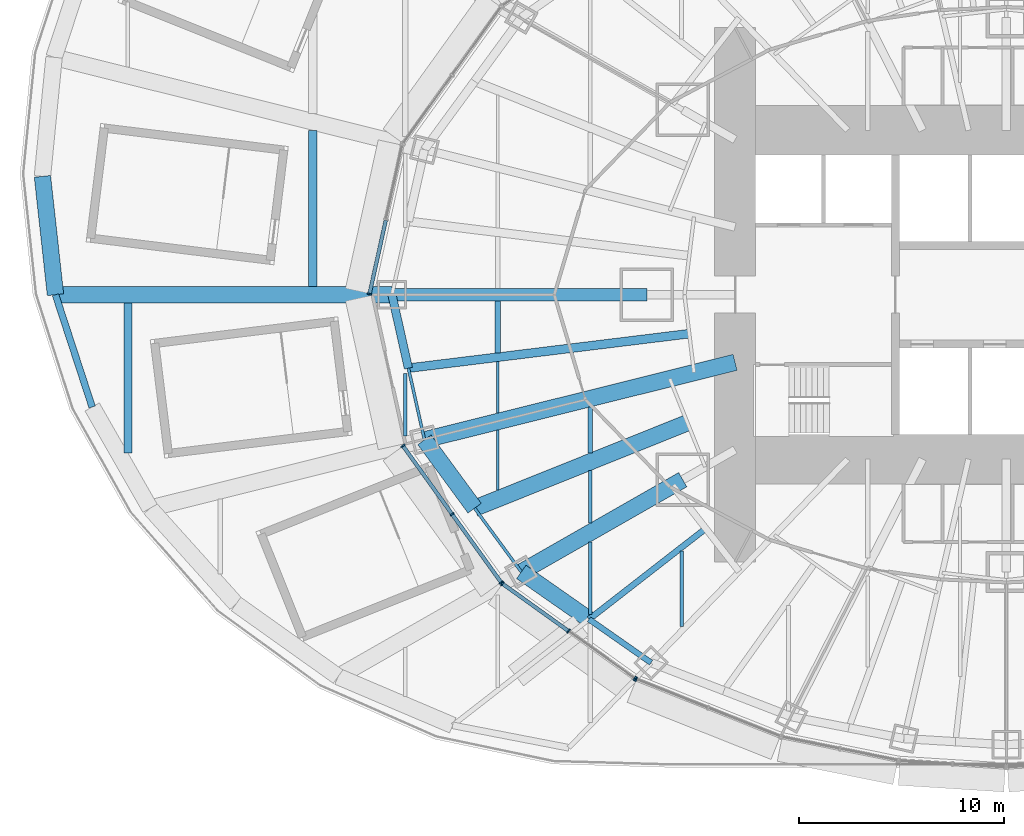
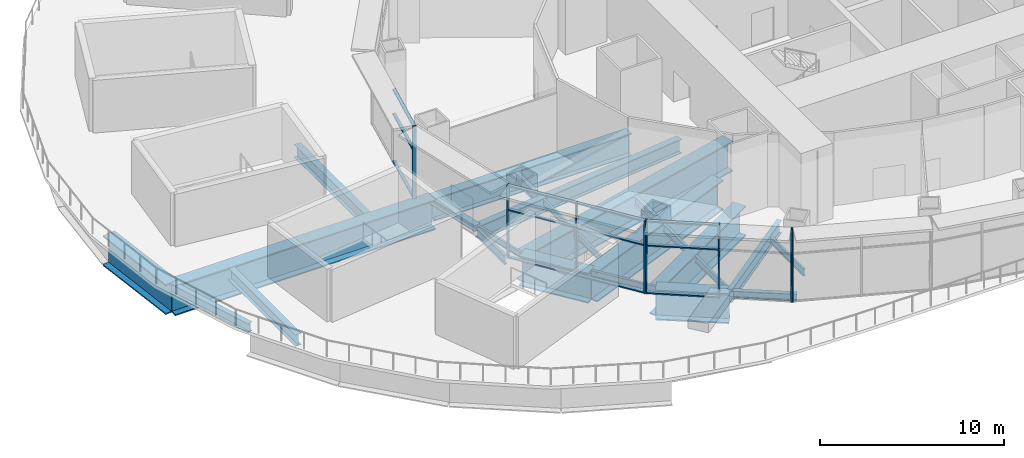
# One storey, part 2 of 25: 25 beams, 20 members, 4 elements without a shape of their own.
"""IFC4 building model written with IfcOpenShell, lengths in metres."""

from ifc_helpers import new_model, si_unit, direction, frame, origin, origin_2d, place, context, subcontext, project, spatial, rectangle, i_section, extrude, material, material_profile, profile_set, type_object, element, aggregate, save


model = new_model("IFC4")

# Units and contexts
model_context = context("Model", 3, precision=1e-05, world=origin(), true_north=direction((0.0, 1.0)))
body_context = subcontext(model_context, "Body", "Model", "MODEL_VIEW")
ifc_project = project(units=[si_unit("LENGTHUNIT", "METRE"), si_unit("AREAUNIT", "SQUARE_METRE"), si_unit("VOLUMEUNIT", "CUBIC_METRE"), si_unit("PLANEANGLEUNIT", "RADIAN"), si_unit("MASSUNIT", "GRAM", prefix="KILO")], contexts=[model_context])

# Site, building, storey
site_placement = place(None, origin())
site = spatial("IfcSite", under=ifc_project, at=site_placement, CompositionType="ELEMENT")
building_placement = place(site_placement, origin())
building = spatial("IfcBuilding", under=site, at=building_placement, Name="Lantaw Convention Tower", CompositionType="ELEMENT")
storey_placement = place(building_placement, frame((0.0, 0.0, 32.0)))
storey = spatial("IfcBuildingStorey", under=building, at=storey_placement, Name="L05", CompositionType="ELEMENT", Elevation=32.0)

# Beams
ifc_material_1 = material(Name="Steel ASTM A572 Grade 50", Category="steel")
ifc_material_profile_1 = material_profile(ifc_material_1, i_section(OverallWidth=0.800048828125, OverallDepth=2.0, WebThickness=0.030029296875, FlangeThickness=0.080078125, at=origin_2d()), Name="PG2000X800X30X80")
ifc_profile_set_1 = profile_set([ifc_material_profile_1], Name="Steel ASTM A572 Grade 50")
beam_type_1 = type_object("IfcBeamType", Name="Beam E PG2000X800X30X80", PredefinedType="SPANDREL", material=ifc_profile_set_1)
beam_1_placement = place(storey_placement, frame((-28.31787109375, -7.060302734375, -1.199951171875), z_axis=(0.591255937291, -0.806483984105, 0.0), x_axis=(0.806483984105, 0.591255937291, 0.0)))
element("IfcBeam", 1, at=beam_1_placement, inside=storey, type_object=beam_type_1, Name="Edge beam 14", PredefinedType="SPANDREL", context=body_context, shape_type="SweptSolid", body=[
    extrude(i_section(OverallWidth=0.800048828125, OverallDepth=2.0, WebThickness=0.030029296875, FlangeThickness=0.080078125, at=origin_2d()), origin(), (0.0, 0.0, 1.0), 4.126708984375),
])
beam_2_placement = place(storey_placement, frame((-23.60498046875, -13.488525390625, -1.199951171875), z_axis=(0.819442856133, -0.573160889744, 0.0), x_axis=(0.573160889744, 0.819442856133, 0.0)))
element("IfcBeam", 2, at=beam_2_placement, inside=storey, type_object=beam_type_1, Name="Edge beam 15", PredefinedType="SPANDREL", context=body_context, shape_type="SweptSolid", body=[
    extrude(i_section(OverallWidth=0.800048828125, OverallDepth=2.0, WebThickness=0.030029296875, FlangeThickness=0.080078125, at=origin_2d()), origin(), (0.0, 0.0, 1.0), 4.022705078125),
])
beam_3_placement = place(storey_placement, frame((-46.907958984375, 5.759521484375, -1.199951171875), z_axis=(0.109673093737, -0.993967712006, 0.0), x_axis=(0.993967712006, 0.109673093737, 0.0)))
element("IfcBeam", 3, at=beam_3_placement, inside=storey, type_object=beam_type_1, Name="Podium edge beam B11", PredefinedType="SPANDREL", context=body_context, shape_type="SweptSolid", body=[
    extrude(i_section(OverallWidth=0.800048828125, OverallDepth=2.0, WebThickness=0.030029296875, FlangeThickness=0.080078125, at=origin_2d()), origin(), (0.0, 0.0, 1.0), 5.79443359375),
])
ifc_material_2 = material(Name="Steel ASTM A992", Category="steel")
ifc_material_profile_2 = material_profile(ifc_material_2, i_section(OverallWidth=0.40380859375, OverallDepth=0.406494140625, WebThickness=0.027099609375, FlangeThickness=0.043701171875, FilletRadius=0.01513671875, at=origin_2d()), Name="W14X233")
ifc_profile_set_2 = profile_set([ifc_material_profile_2], Name="Steel ASTM A992")
beam_type_2 = type_object("IfcBeamType", Name="Beam E W14X233", PredefinedType="SPANDREL", material=ifc_profile_set_2)
beam_4_placement = place(storey_placement, frame((-29.89990234375, 0.0, -0.4033203125), z_axis=(0.218631550323, -0.975807483679, 0.0), x_axis=(0.975807483679, 0.218631550323, 0.0)))
element("IfcBeam", 4, at=beam_4_placement, inside=storey, type_object=beam_type_2, Name="Edge beam 13", PredefinedType="SPANDREL", context=body_context, shape_type="SweptSolid", body=[
    extrude(i_section(OverallWidth=0.40380859375, OverallDepth=0.406494140625, WebThickness=0.027099609375, FlangeThickness=0.043701171875, FilletRadius=0.01513671875, at=origin_2d()), origin(), (0.0, 0.0, 1.0), 3.66162109375),
])
ifc_material_profile_3 = material_profile(ifc_material_2, i_section(OverallWidth=0.140380859375, OverallDepth=0.40380859375, WebThickness=0.007080078125, FlangeThickness=0.01123046875, FilletRadius=0.01025390625, at=origin_2d()), Name="W16X31")
ifc_profile_set_3 = profile_set([ifc_material_profile_3], Name="Steel ASTM A992")
beam_type_3 = type_object("IfcBeamType", Name="Beam E W16X31", PredefinedType="SPANDREL", material=ifc_profile_set_3)
beam_5_placement = place(storey_placement, frame((-29.099365234375, -3.572998046875, -0.40185546875), z_axis=(0.218673326171, -0.97579812278, 0.0), x_axis=(0.97579812278, 0.218673326171, 0.0)))
element("IfcBeam", 5, at=beam_5_placement, inside=storey, type_object=beam_type_3, Name="Edge beam 13", PredefinedType="SPANDREL", context=body_context, shape_type="SweptSolid", body=[
    extrude(i_section(OverallWidth=0.140380859375, OverallDepth=0.40380859375, WebThickness=0.007080078125, FlangeThickness=0.01123046875, FilletRadius=0.01025390625, at=origin_2d()), origin(), (0.0, 0.0, 1.0), 3.57373046875),
])
beam_6_placement = place(storey_placement, frame((-25.8779296875, -10.388427734375, -0.40185546875), z_axis=(0.591286566758, -0.806461527893, 0.0), x_axis=(0.806461527893, 0.591286566758, 0.0)))
element("IfcBeam", 6, at=beam_6_placement, inside=storey, type_object=beam_type_3, Name="Edge beam 14", PredefinedType="SPANDREL", context=body_context, shape_type="SweptSolid", body=[
    extrude(i_section(OverallWidth=0.140380859375, OverallDepth=0.40380859375, WebThickness=0.007080078125, FlangeThickness=0.01123046875, FilletRadius=0.01025390625, at=origin_2d()), origin(), (0.0, 0.0, 1.0), 3.843994140625),
])
ifc_material_profile_4 = material_profile(ifc_material_2, i_section(OverallWidth=0.279296875, OverallDepth=0.462158203125, WebThickness=0.0107421875, FlangeThickness=0.017333984375, FilletRadius=0.01025390625, at=origin_2d()), Name="W18X76")
ifc_profile_set_4 = profile_set([ifc_material_profile_4], Name="Steel ASTM A992")
beam_type_4 = type_object("IfcBeamType", Name="Beam E W18X76", PredefinedType="SPANDREL", material=ifc_profile_set_4)
beam_7_placement = place(storey_placement, frame((-20.30859375, -15.794189453125, -0.43115234375), z_axis=(0.819409395821, -0.573208724672, 0.0), x_axis=(0.573208724672, 0.819409395821, 0.0)))
element("IfcBeam", 7, at=beam_7_placement, inside=storey, type_object=beam_type_4, Name="Edge beam 15", PredefinedType="SPANDREL", context=body_context, shape_type="SweptSolid", body=[
    extrude(i_section(OverallWidth=0.279296875, OverallDepth=0.462158203125, WebThickness=0.0107421875, FlangeThickness=0.017333984375, FilletRadius=0.01025390625, at=origin_2d()), origin(), (0.0, 0.0, 1.0), 3.682861328125),
])
ifc_material_profile_5 = material_profile(ifc_material_2, i_section(OverallWidth=0.3251953125, OverallDepth=0.612060546875, WebThickness=0.0126953125, FlangeThickness=0.01904296875, FilletRadius=0.0126953125, at=origin_2d()), Name="W24X104")
ifc_profile_set_5 = profile_set([ifc_material_profile_5], Name="Steel ASTM A992")
beam_type_5 = type_object("IfcBeamType", Name="Beam E W24X104", PredefinedType="SPANDREL", material=ifc_profile_set_5)
beam_8_placement = place(storey_placement, frame((-46.2724609375, 0.0, -0.506103515625), z_axis=(0.310448009473, -0.950590360468, 0.0), x_axis=(0.950590360468, 0.310448009473, 0.0)))
element("IfcBeam", 8, at=beam_8_placement, inside=storey, type_object=beam_type_5, Name="Podium edge beam R12", PredefinedType="SPANDREL", context=body_context, shape_type="SweptSolid", body=[
    extrude(i_section(OverallWidth=0.3251953125, OverallDepth=0.612060546875, WebThickness=0.0126953125, FlangeThickness=0.01904296875, FilletRadius=0.0126953125, at=origin_2d()), origin(), (0.0, 0.0, 1.0), 5.746337890625),
])
ifc_material_profile_6 = material_profile(ifc_material_1, i_section(OverallWidth=0.60009765625, OverallDepth=1.5, WebThickness=0.02490234375, FlangeThickness=0.06005859375, at=origin_2d()), Name="PG1500X600X25X60")
ifc_profile_set_6 = profile_set([ifc_material_profile_6], Name="Steel ASTM A572 Grade 50")
beam_type_6 = type_object("IfcBeamType", Name="Beam G PG1500X600X25X60", PredefinedType="BEAM", material=ifc_profile_set_6)
beam_9_placement = place(storey_placement, frame((-17.5, 0.0, -0.949951171875), z_axis=(-1.0, 0.0, 0.0), x_axis=(0.0, -1.0, 0.0)))
element("IfcBeam", 9, at=beam_9_placement, inside=storey, type_object=beam_type_6, Name="Floor girder on ray 13", PredefinedType="BEAM", context=body_context, shape_type="SweptSolid", body=[
    extrude(i_section(OverallWidth=0.60009765625, OverallDepth=1.5, WebThickness=0.02490234375, FlangeThickness=0.06005859375, at=origin_2d()), origin(), (0.0, 0.0, 1.0), 12.39990234375),
])
ifc_material_profile_7 = material_profile(ifc_material_1, i_section(OverallWidth=0.800048828125, OverallDepth=2.0, WebThickness=0.030029296875, FlangeThickness=0.080078125, at=origin_2d()), Name="PG2000X800X30X80")
ifc_profile_set_7 = profile_set([ifc_material_profile_7], Name="Steel ASTM A572 Grade 50")
beam_type_7 = type_object("IfcBeamType", Name="Beam G PG2000X800X30X80", PredefinedType="BEAM", material=ifc_profile_set_7)
beam_10_placement = place(storey_placement, frame((-13.199951171875, -3.291015625, -1.199951171875), z_axis=(-0.970296233567, -0.241919860957, 0.0), x_axis=(0.241919860957, -0.970296233567, 0.0)))
element("IfcBeam", 10, at=beam_10_placement, inside=storey, type_object=beam_type_7, Name="Floor girder on ray 14", PredefinedType="BEAM", context=body_context, shape_type="SweptSolid", body=[
    extrude(i_section(OverallWidth=0.800048828125, OverallDepth=2.0, WebThickness=0.030029296875, FlangeThickness=0.080078125, at=origin_2d()), origin(), (0.0, 0.0, 1.0), 15.580810546875),
])
beam_11_placement = place(storey_placement, frame((-15.52001953125, -6.23046875, -1.199951171875), z_axis=(-0.928018900171, -0.372533113864, 0.0), x_axis=(0.372533113864, -0.928018900171, 0.0)))
element("IfcBeam", 11, at=beam_11_placement, inside=storey, type_object=beam_type_7, Name="Floor girder on bisector 14", PredefinedType="BEAM", context=body_context, shape_type="SweptSolid", body=[
    extrude(i_section(OverallWidth=0.800048828125, OverallDepth=2.0, WebThickness=0.030029296875, FlangeThickness=0.080078125, at=origin_2d()), origin(), (0.0, 0.0, 1.0), 11.161376953125),
])
beam_12_placement = place(storey_placement, frame((-15.75, -9.0, -1.199951171875), z_axis=(-0.868244802791, -0.496136032179, 0.0), x_axis=(0.496136032179, -0.868244802791, 0.0)))
element("IfcBeam", 12, at=beam_12_placement, inside=storey, type_object=beam_type_7, Name="Floor girder on ray 15", PredefinedType="BEAM", context=body_context, shape_type="SweptSolid", body=[
    extrude(i_section(OverallWidth=0.800048828125, OverallDepth=2.0, WebThickness=0.030029296875, FlangeThickness=0.080078125, at=origin_2d()), origin(), (0.0, 0.0, 1.0), 9.046875),
])
ifc_material_profile_8 = material_profile(ifc_material_2, i_section(OverallWidth=0.2919921875, OverallDepth=0.845703125, WebThickness=0.015380859375, FlangeThickness=0.0244140625, FilletRadius=0.01513671875, at=origin_2d()), Name="W33X141")
ifc_profile_set_8 = profile_set([ifc_material_profile_8], Name="Steel ASTM A992")
beam_type_8 = type_object("IfcBeamType", Name="Beam G W33X141", PredefinedType="BEAM", material=ifc_profile_set_8)
beam_13_placement = place(storey_placement, frame((-14.628173828125, -11.37646484375, -0.622802734375), z_axis=(-0.789377792374, -0.613907729961, 0.0), x_axis=(0.613907729961, -0.789377792374, 0.0)))
element("IfcBeam", 13, at=beam_13_placement, inside=storey, type_object=beam_type_8, Name="Floor girder on bisector 15", PredefinedType="BEAM", context=body_context, shape_type="SweptSolid", body=[
    extrude(i_section(OverallWidth=0.2919921875, OverallDepth=0.845703125, WebThickness=0.015380859375, FlangeThickness=0.0244140625, FilletRadius=0.01513671875, at=origin_2d()), origin(), (0.0, 0.0, 1.0), 7.196044921875),
])
ifc_material_profile_9 = material_profile(ifc_material_2, i_section(OverallWidth=0.424072265625, OverallDepth=0.947509765625, WebThickness=0.02392578125, FlangeThickness=0.042724609375, FilletRadius=0.012451171875, at=origin_2d()), Name="W36X302")
ifc_profile_set_9 = profile_set([ifc_material_profile_9], Name="Steel ASTM A992")
beam_type_9 = type_object("IfcBeamType", Name="Beam G W36X302", PredefinedType="BEAM", material=ifc_profile_set_9)
beam_14_placement = place(storey_placement, frame((-15.433349609375, -1.89501953125, -0.673828125), z_axis=(-0.99254612715, -0.121869542874, 0.0), x_axis=(0.121869542874, -0.99254612715, 0.0)))
element("IfcBeam", 14, at=beam_14_placement, inside=storey, type_object=beam_type_9, Name="Floor girder on bisector 13", PredefinedType="BEAM", context=body_context, shape_type="SweptSolid", body=[
    extrude(i_section(OverallWidth=0.424072265625, OverallDepth=0.947509765625, WebThickness=0.02392578125, FlangeThickness=0.042724609375, FilletRadius=0.012451171875, at=origin_2d()), origin(), (0.0, 0.0, 1.0), 13.7685546875),
])
ifc_material_profile_10 = material_profile(ifc_material_2, i_section(OverallWidth=0.140380859375, OverallDepth=0.40380859375, WebThickness=0.007080078125, FlangeThickness=0.01123046875, FilletRadius=0.01025390625, at=origin_2d()), Name="W16X31")
ifc_profile_set_10 = profile_set([ifc_material_profile_10], Name="Steel ASTM A992")
beam_type_10 = type_object("IfcBeamType", Name="Beam J W16X31", PredefinedType="JOIST", material=ifc_profile_set_10)
beam_15_placement = place(storey_placement, frame((-24.75, -9.504638671875, -0.40185546875), z_axis=(0.0, 1.0, 0.0), x_axis=(-1.0, 0.0, 0.0)))
element("IfcBeam", 15, at=beam_15_placement, inside=storey, type_object=beam_type_10, Name="Floor joist", PredefinedType="JOIST", context=body_context, shape_type="SweptSolid", body=[
    extrude(i_section(OverallWidth=0.140380859375, OverallDepth=0.40380859375, WebThickness=0.007080078125, FlangeThickness=0.01123046875, FilletRadius=0.01025390625, at=origin_2d()), origin(), (0.0, 0.0, 1.0), 2.921630859375),
])
beam_16_placement = place(storey_placement, frame((-24.75, -5.758544921875, -0.40185546875), z_axis=(0.0, 1.0, 0.0), x_axis=(-1.0, 0.0, 0.0)))
element("IfcBeam", 16, at=beam_16_placement, inside=storey, type_object=beam_type_10, Name="Floor joist", PredefinedType="JOIST", context=body_context, shape_type="SweptSolid", body=[
    extrude(i_section(OverallWidth=0.140380859375, OverallDepth=0.40380859375, WebThickness=0.007080078125, FlangeThickness=0.01123046875, FilletRadius=0.01025390625, at=origin_2d()), origin(), (0.0, 0.0, 1.0), 2.505859375),
])
ifc_material_profile_11 = material_profile(ifc_material_2, i_section(OverallWidth=0.15234375, OverallDepth=0.449462890625, WebThickness=0.007568359375, FlangeThickness=0.0107421875, FilletRadius=0.01025390625, at=origin_2d()), Name="W18X35")
ifc_profile_set_11 = profile_set([ifc_material_profile_11], Name="Steel ASTM A992")
beam_type_11 = type_object("IfcBeamType", Name="Beam J W18X35", PredefinedType="JOIST", material=ifc_profile_set_11)
beam_17_placement = place(storey_placement, frame((-20.25, -15.5634765625, -0.4248046875), z_axis=(0.0, 1.0, 0.0), x_axis=(-1.0, 0.0, 0.0)))
element("IfcBeam", 17, at=beam_17_placement, inside=storey, type_object=beam_type_11, Name="Floor joist", PredefinedType="JOIST", context=body_context, shape_type="SweptSolid", body=[
    extrude(i_section(OverallWidth=0.15234375, OverallDepth=0.449462890625, WebThickness=0.007568359375, FlangeThickness=0.0107421875, FilletRadius=0.01025390625, at=origin_2d()), origin(), (0.0, 0.0, 1.0), 3.53125),
])
beam_18_placement = place(storey_placement, frame((-15.800048828125, -16.151123046875, -0.4248046875), z_axis=(0.0, 1.0, 0.0), x_axis=(-1.0, 0.0, 0.0)))
element("IfcBeam", 18, at=beam_18_placement, inside=storey, type_object=beam_type_11, Name="Floor joist", PredefinedType="JOIST", context=body_context, shape_type="SweptSolid", body=[
    extrude(i_section(OverallWidth=0.15234375, OverallDepth=0.449462890625, WebThickness=0.007568359375, FlangeThickness=0.0107421875, FilletRadius=0.01025390625, at=origin_2d()), origin(), (0.0, 0.0, 1.0), 3.67822265625),
])
ifc_material_profile_12 = material_profile(ifc_material_2, i_section(OverallWidth=0.1650390625, OverallDepth=0.52587890625, WebThickness=0.0087890625, FlangeThickness=0.011474609375, FilletRadius=0.0126953125, at=origin_2d()), Name="W21X44")
ifc_profile_set_12 = profile_set([ifc_material_profile_12], Name="Steel ASTM A992")
beam_type_12 = type_object("IfcBeamType", Name="Beam J W21X44", PredefinedType="JOIST", material=ifc_profile_set_12)
beam_19_placement = place(storey_placement, frame((-20.25, -11.11083984375, -0.462890625), z_axis=(0.0, 1.0, 0.0), x_axis=(-1.0, 0.0, 0.0)))
element("IfcBeam", 19, at=beam_19_placement, inside=storey, type_object=beam_type_12, Name="Floor joist", PredefinedType="JOIST", context=body_context, shape_type="SweptSolid", body=[
    extrude(i_section(OverallWidth=0.1650390625, OverallDepth=0.52587890625, WebThickness=0.0087890625, FlangeThickness=0.011474609375, FilletRadius=0.0126953125, at=origin_2d()), origin(), (0.0, 0.0, 1.0), 2.550537109375),
])
ifc_material_profile_13 = material_profile(ifc_material_2, i_section(OverallWidth=0.177978515625, OverallDepth=0.599365234375, WebThickness=0.010009765625, FlangeThickness=0.012939453125, FilletRadius=0.012939453125, at=origin_2d()), Name="W24X55")
ifc_profile_set_13 = profile_set([ifc_material_profile_13], Name="Steel ASTM A992")
beam_type_13 = type_object("IfcBeamType", Name="Beam J W24X55", PredefinedType="JOIST", material=ifc_profile_set_13)
beam_20_placement = place(storey_placement, frame((-29.25, -6.880615234375, -0.499755859375), z_axis=(0.0, 1.0, 0.0), x_axis=(-1.0, 0.0, 0.0)))
element("IfcBeam", 20, at=beam_20_placement, inside=storey, type_object=beam_type_13, Name="Floor joist", PredefinedType="JOIST", context=body_context, shape_type="SweptSolid", body=[
    extrude(i_section(OverallWidth=0.177978515625, OverallDepth=0.599365234375, WebThickness=0.010009765625, FlangeThickness=0.012939453125, FilletRadius=0.012939453125, at=origin_2d()), origin(), (0.0, 0.0, 1.0), 3.056640625),
])
ifc_material_profile_14 = material_profile(ifc_material_2, i_section(OverallWidth=0.227783203125, OverallDepth=0.60205078125, WebThickness=0.010498046875, FlangeThickness=0.014892578125, FilletRadius=0.012939453125, at=origin_2d()), Name="W24X68")
ifc_profile_set_14 = profile_set([ifc_material_profile_14], Name="Steel ASTM A992")
beam_type_14 = type_object("IfcBeamType", Name="Beam J W24X68", PredefinedType="JOIST", material=ifc_profile_set_14)
beam_21_placement = place(storey_placement, frame((-20.25, -7.6982421875, -0.5009765625), z_axis=(0.0, 1.0, 0.0), x_axis=(-1.0, 0.0, 0.0)))
element("IfcBeam", 21, at=beam_21_placement, inside=storey, type_object=beam_type_14, Name="Floor joist", PredefinedType="JOIST", context=body_context, shape_type="SweptSolid", body=[
    extrude(i_section(OverallWidth=0.227783203125, OverallDepth=0.60205078125, WebThickness=0.010498046875, FlangeThickness=0.014892578125, FilletRadius=0.012939453125, at=origin_2d()), origin(), (0.0, 0.0, 1.0), 2.237060546875),
])
ifc_material_profile_15 = material_profile(ifc_material_2, i_section(OverallWidth=0.25390625, OverallDepth=0.683349609375, WebThickness=0.012451171875, FlangeThickness=0.01904296875, FilletRadius=0.01513671875, at=origin_2d()), Name="W27X94")
ifc_profile_set_15 = profile_set([ifc_material_profile_15], Name="Steel ASTM A992")
beam_type_15 = type_object("IfcBeamType", Name="Beam J W27X94", PredefinedType="JOIST", material=ifc_profile_set_15)
beam_22_placement = place(storey_placement, frame((-24.75, -2.8251953125, -0.541748046875), z_axis=(0.0, 1.0, 0.0), x_axis=(-1.0, 0.0, 0.0)))
element("IfcBeam", 22, at=beam_22_placement, inside=storey, type_object=beam_type_15, Name="Floor joist", PredefinedType="JOIST", context=body_context, shape_type="SweptSolid", body=[
    extrude(i_section(OverallWidth=0.25390625, OverallDepth=0.683349609375, WebThickness=0.012451171875, FlangeThickness=0.01904296875, FilletRadius=0.01513671875, at=origin_2d()), origin(), (0.0, 0.0, 1.0), 2.525146484375),
])
ifc_material_profile_16 = material_profile(ifc_material_2, i_section(OverallWidth=0.381103515625, OverallDepth=0.772216796875, WebThickness=0.0166015625, FlangeThickness=0.027099609375, FilletRadius=0.0146484375, at=origin_2d()), Name="W30X173")
ifc_profile_set_16 = profile_set([ifc_material_profile_16], Name="Steel ASTM A992")
beam_type_16 = type_object("IfcBeamType", Name="Beam J W30X173", PredefinedType="JOIST", material=ifc_profile_set_16)
beam_23_placement = place(storey_placement, frame((-42.75, -7.698486328125, -0.586181640625), z_axis=(0.0, 1.0, 0.0), x_axis=(-1.0, 0.0, 0.0)))
element("IfcBeam", 23, at=beam_23_placement, inside=storey, type_object=beam_type_16, Name="Floor joist", PredefinedType="JOIST", context=body_context, shape_type="SweptSolid", body=[
    extrude(i_section(OverallWidth=0.381103515625, OverallDepth=0.772216796875, WebThickness=0.0166015625, FlangeThickness=0.027099609375, FilletRadius=0.0146484375, at=origin_2d()), origin(), (0.0, 0.0, 1.0), 7.298583984375),
])
ifc_material_profile_17 = material_profile(ifc_material_2, i_section(OverallWidth=0.398681640625, OverallDepth=0.85595703125, WebThickness=0.01806640625, FlangeThickness=0.029296875, FilletRadius=0.016357421875, at=origin_2d()), Name="W33X201")
ifc_profile_set_17 = profile_set([ifc_material_profile_17], Name="Steel ASTM A992")
beam_type_17 = type_object("IfcBeamType", Name="Beam J W33X201", PredefinedType="JOIST", material=ifc_profile_set_17)
beam_24_placement = place(storey_placement, frame((-33.75, 0.39990234375, -0.6279296875), z_axis=(0.0, 1.0, 0.0), x_axis=(-1.0, 0.0, 0.0)))
element("IfcBeam", 24, at=beam_24_placement, inside=storey, type_object=beam_type_17, Name="Floor joist", PredefinedType="JOIST", context=body_context, shape_type="SweptSolid", body=[
    extrude(i_section(OverallWidth=0.398681640625, OverallDepth=0.85595703125, WebThickness=0.01806640625, FlangeThickness=0.029296875, FilletRadius=0.016357421875, at=origin_2d()), origin(), (0.0, 0.0, 1.0), 7.602783203125),
])
ifc_material_profile_18 = material_profile(ifc_material_1, i_section(OverallWidth=0.800048828125, OverallDepth=2.0, WebThickness=0.030029296875, FlangeThickness=0.080078125, at=origin_2d()), Name="PG2000X800X30X80")
ifc_profile_set_18 = profile_set([ifc_material_profile_18], Name="Steel ASTM A572 Grade 50")
beam_type_18 = type_object("IfcBeamType", Name="Beam PG PG2000X800X30X80", PredefinedType="BEAM", material=ifc_profile_set_18)
beam_25_placement = place(storey_placement, frame((-29.89990234375, 0.0, -1.199951171875), z_axis=(-1.0, 0.0, 0.0), x_axis=(0.0, -1.0, 0.0)))
element("IfcBeam", 25, at=beam_25_placement, inside=storey, type_object=beam_type_18, Name="Podium girder PR13", PredefinedType="BEAM", context=body_context, shape_type="SweptSolid", body=[
    extrude(i_section(OverallWidth=0.800048828125, OverallDepth=2.0, WebThickness=0.030029296875, FlangeThickness=0.080078125, at=origin_2d()), origin(), (0.0, 0.0, 1.0), 16.37255859375),
])

# Curtain wall, member
ifc_material_3 = material(Name="Aluminium framed curtain wall", Category="aluminium")
curtain_wall_type = type_object("IfcCurtainWallType", Name="Sky lobby curtain wall L05, pale aluminium", PredefinedType="USERDEFINED", material=ifc_material_3)
curtain_wall_1_placement = place(storey_placement, origin())
curtain_wall_1 = element("IfcCurtainWall", 26, at=curtain_wall_1_placement, inside=storey, type_object=curtain_wall_type, Name="Sky lobby curtain wall L05, pale aluminium L05", ObjectType="STICK CURTAIN WALL", PredefinedType="USERDEFINED")
ifc_material_4 = material(Name="Aluminium 6063-T6", Category="aluminium")
ifc_material_profile_19 = material_profile(ifc_material_4, rectangle(XDim=0.22509765625, YDim=0.074951171875, at=origin_2d()), Name="CW-HL mullion 75x225")
ifc_profile_set_19 = profile_set([ifc_material_profile_19], Name="Aluminium 6063-T6")
member_type_1 = type_object("IfcMemberType", Name="CW-HL mullion 75x225", PredefinedType="MULLION", material=ifc_profile_set_19)
member_1_placement = place(storey_placement, frame((-30.991943359375, 0.03662109375, 0.0), z_axis=(0.0, 0.0, 1.0), x_axis=(0.976559847223, -0.215246056391, 0.0)))
member_1 = element("IfcMember", 27, at=member_1_placement, type_object=member_type_1, Name="CW-HL mullion 3", PredefinedType="MULLION", context=body_context, shape_type="SweptSolid", body=[
    extrude(rectangle(XDim=0.22509765625, YDim=0.074951171875, at=origin_2d()), origin(), (0.0, 0.0, 1.0), 4.85009765625),
])

# Curtain wall, members
curtain_wall_2_placement = place(storey_placement, origin())
curtain_wall_2 = element("IfcCurtainWall", 28, at=curtain_wall_2_placement, inside=storey, type_object=curtain_wall_type, Name="Sky lobby curtain wall L05, pale aluminium L05", ObjectType="STICK CURTAIN WALL", PredefinedType="USERDEFINED")
member_2_placement = place(storey_placement, frame((-29.36328125, -7.35693359375, 0.0), z_axis=(0.0, 0.0, 1.0), x_axis=(0.811788726895, 0.583951250436, 0.0)))
member_2 = element("IfcMember", 29, at=member_2_placement, type_object=member_type_1, Name="CW-HL mullion 1", PredefinedType="MULLION", context=body_context, shape_type="SweptSolid", body=[
    extrude(rectangle(XDim=0.22509765625, YDim=0.074951171875, at=origin_2d()), origin(), (0.0, 0.0, 1.0), 4.85009765625),
])
member_3_placement = place(storey_placement, frame((-26.97265625, -10.680419921875, 0.0), z_axis=(0.0, 0.0, 1.0), x_axis=(0.811788726895, 0.583951250436, 0.0)))
member_3 = element("IfcMember", 30, at=member_3_placement, type_object=member_type_1, Name="CW-HL mullion 2", PredefinedType="MULLION", context=body_context, shape_type="SweptSolid", body=[
    extrude(rectangle(XDim=0.22509765625, YDim=0.074951171875, at=origin_2d()), origin(), (0.0, 0.0, 1.0), 4.85009765625),
])
member_4_placement = place(storey_placement, frame((-24.581787109375, -14.00390625, 0.0), z_axis=(0.0, 0.0, 1.0), x_axis=(0.811788726895, 0.583951250436, 0.0)))
member_4 = element("IfcMember", 31, at=member_4_placement, type_object=member_type_1, Name="CW-HL mullion 3", PredefinedType="MULLION", context=body_context, shape_type="SweptSolid", body=[
    extrude(rectangle(XDim=0.22509765625, YDim=0.074951171875, at=origin_2d()), origin(), (0.0, 0.0, 1.0), 4.85009765625),
])

curtain_wall_3_placement = place(storey_placement, origin())
curtain_wall_3 = element("IfcCurtainWall", 32, at=curtain_wall_3_placement, inside=storey, type_object=curtain_wall_type, Name="Sky lobby curtain wall L05, pale aluminium L05", ObjectType="STICK CURTAIN WALL", PredefinedType="USERDEFINED")
member_5_placement = place(storey_placement, frame((-24.529541015625, -14.05615234375, 0.0), z_axis=(0.0, 0.0, 1.0), x_axis=(0.5825376308, 0.812803733199, 0.0)))
member_5 = element("IfcMember", 33, at=member_5_placement, type_object=member_type_1, Name="CW-HL mullion 1", PredefinedType="MULLION", context=body_context, shape_type="SweptSolid", body=[
    extrude(rectangle(XDim=0.22509765625, YDim=0.074951171875, at=origin_2d()), origin(), (0.0, 0.0, 1.0), 4.85009765625),
])
member_6_placement = place(storey_placement, frame((-21.307373046875, -16.365478515625, 0.0), z_axis=(0.0, 0.0, 1.0), x_axis=(0.5825376308, 0.812803733199, 0.0)))
member_6 = element("IfcMember", 34, at=member_6_placement, type_object=member_type_1, Name="CW-HL mullion 2", PredefinedType="MULLION", context=body_context, shape_type="SweptSolid", body=[
    extrude(rectangle(XDim=0.22509765625, YDim=0.074951171875, at=origin_2d()), origin(), (0.0, 0.0, 1.0), 4.85009765625),
])
member_7_placement = place(storey_placement, frame((-18.08544921875, -18.674560546875, 0.0), z_axis=(0.0, 0.0, 1.0), x_axis=(0.5825376308, 0.812803733199, 0.0)))
member_7 = element("IfcMember", 35, at=member_7_placement, type_object=member_type_1, Name="CW-HL mullion 3", PredefinedType="MULLION", context=body_context, shape_type="SweptSolid", body=[
    extrude(rectangle(XDim=0.22509765625, YDim=0.074951171875, at=origin_2d()), origin(), (0.0, 0.0, 1.0), 4.85009765625),
])

# Curtain wall, member
curtain_wall_4_placement = place(storey_placement, origin())
curtain_wall_4 = element("IfcCurtainWall", 36, at=curtain_wall_4_placement, inside=storey, type_object=curtain_wall_type, Name="Sky lobby curtain wall L05, pale aluminium L05", ObjectType="STICK CURTAIN WALL", PredefinedType="USERDEFINED")
member_8_placement = place(storey_placement, frame((-18.02001953125, -18.710205078125, 0.0), z_axis=(0.0, 0.0, 1.0), x_axis=(0.369171840425, 0.929361152748, 0.0)))
member_8 = element("IfcMember", 37, at=member_8_placement, type_object=member_type_1, Name="CW-HL mullion 1", PredefinedType="MULLION", context=body_context, shape_type="SweptSolid", body=[
    extrude(rectangle(XDim=0.22509765625, YDim=0.074951171875, at=origin_2d()), origin(), (0.0, 0.0, 1.0), 4.85009765625),
])
aggregate(curtain_wall_4, [member_8])

# Member
ifc_material_profile_20 = material_profile(ifc_material_4, rectangle(XDim=0.179931640625, YDim=0.074951171875, at=origin_2d()), Name="CW-HL transom 75x180")
ifc_profile_set_20 = profile_set([ifc_material_profile_20], Name="Aluminium 6063-T6")
member_type_2 = type_object("IfcMemberType", Name="CW-HL transom 75x180", PredefinedType="USERDEFINED", material=ifc_profile_set_20)
member_9_placement = place(storey_placement, frame((-30.20068359375, 3.626708984375, 0.03759765625), z_axis=(-0.215239349511, -0.976561325479, 0.0), x_axis=(0.976561325479, -0.215239349511, 0.0)))
member_9 = element("IfcMember", 38, at=member_9_placement, type_object=member_type_2, Name="CW-HL transom 2.1", ObjectType="TRANSOM", PredefinedType="USERDEFINED", context=body_context, shape_type="SweptSolid", body=[
    extrude(rectangle(XDim=0.179931640625, YDim=0.074951171875, at=origin_2d()), origin(), (0.0, 0.0, 1.0), 3.638671875),
])

member_10_placement = place(storey_placement, frame((-30.20068359375, 3.626708984375, 3.199951171875), z_axis=(-0.215239349511, -0.976561325479, 0.0), x_axis=(0.976561325479, -0.215239349511, 0.0)))
member_10 = element("IfcMember", 39, at=member_10_placement, type_object=member_type_2, Name="CW-HL transom 2.2", ObjectType="TRANSOM", PredefinedType="USERDEFINED", context=body_context, shape_type="SweptSolid", body=[
    extrude(rectangle(XDim=0.179931640625, YDim=0.074951171875, at=origin_2d()), origin(), (0.0, 0.0, 1.0), 3.638671875),
])

member_11_placement = place(storey_placement, frame((-30.20068359375, 3.626708984375, 4.8125), z_axis=(-0.215239349511, -0.976561325479, 0.0), x_axis=(0.976561325479, -0.215239349511, 0.0)))
member_11 = element("IfcMember", 40, at=member_11_placement, type_object=member_type_2, Name="CW-HL transom 2.3", ObjectType="TRANSOM", PredefinedType="USERDEFINED", context=body_context, shape_type="SweptSolid", body=[
    extrude(rectangle(XDim=0.179931640625, YDim=0.074951171875, at=origin_2d()), origin(), (0.0, 0.0, 1.0), 3.638671875),
])

aggregate(curtain_wall_1, [member_1, member_9, member_10, member_11])

member_12_placement = place(storey_placement, frame((-29.34130859375, -7.387451171875, 0.03759765625), z_axis=(0.58397021033, -0.811775087969, 0.0), x_axis=(0.811775087969, 0.58397021033, 0.0)))
member_12 = element("IfcMember", 41, at=member_12_placement, type_object=member_type_2, Name="CW-HL transom 1.1", ObjectType="TRANSOM", PredefinedType="USERDEFINED", context=body_context, shape_type="SweptSolid", body=[
    extrude(rectangle(XDim=0.179931640625, YDim=0.074951171875, at=origin_2d()), origin(), (0.0, 0.0, 1.0), 4.018798828125),
])

member_13_placement = place(storey_placement, frame((-29.34130859375, -7.387451171875, 3.199951171875), z_axis=(0.58397021033, -0.811775087969, 0.0), x_axis=(0.811775087969, 0.58397021033, 0.0)))
member_13 = element("IfcMember", 42, at=member_13_placement, type_object=member_type_2, Name="CW-HL transom 1.2", ObjectType="TRANSOM", PredefinedType="USERDEFINED", context=body_context, shape_type="SweptSolid", body=[
    extrude(rectangle(XDim=0.179931640625, YDim=0.074951171875, at=origin_2d()), origin(), (0.0, 0.0, 1.0), 4.018798828125),
])

member_14_placement = place(storey_placement, frame((-29.34130859375, -7.387451171875, 4.8125), z_axis=(0.58397021033, -0.811775087969, 0.0), x_axis=(0.811775087969, 0.58397021033, 0.0)))
member_14 = element("IfcMember", 43, at=member_14_placement, type_object=member_type_2, Name="CW-HL transom 1.3", ObjectType="TRANSOM", PredefinedType="USERDEFINED", context=body_context, shape_type="SweptSolid", body=[
    extrude(rectangle(XDim=0.179931640625, YDim=0.074951171875, at=origin_2d()), origin(), (0.0, 0.0, 1.0), 4.018798828125),
])

member_15_placement = place(storey_placement, frame((-26.95068359375, -10.7109375, 0.03759765625), z_axis=(0.58397021033, -0.811775087969, 0.0), x_axis=(0.811775087969, 0.58397021033, 0.0)))
member_15 = element("IfcMember", 44, at=member_15_placement, type_object=member_type_2, Name="CW-HL transom 2.1", ObjectType="TRANSOM", PredefinedType="USERDEFINED", context=body_context, shape_type="SweptSolid", body=[
    extrude(rectangle(XDim=0.179931640625, YDim=0.074951171875, at=origin_2d()), origin(), (0.0, 0.0, 1.0), 4.018798828125),
])

member_16_placement = place(storey_placement, frame((-26.95068359375, -10.7109375, 3.199951171875), z_axis=(0.58397021033, -0.811775087969, 0.0), x_axis=(0.811775087969, 0.58397021033, 0.0)))
member_16 = element("IfcMember", 45, at=member_16_placement, type_object=member_type_2, Name="CW-HL transom 2.2", ObjectType="TRANSOM", PredefinedType="USERDEFINED", context=body_context, shape_type="SweptSolid", body=[
    extrude(rectangle(XDim=0.179931640625, YDim=0.074951171875, at=origin_2d()), origin(), (0.0, 0.0, 1.0), 4.018798828125),
])

member_17_placement = place(storey_placement, frame((-26.95068359375, -10.7109375, 4.8125), z_axis=(0.58397021033, -0.811775087969, 0.0), x_axis=(0.811775087969, 0.58397021033, 0.0)))
member_17 = element("IfcMember", 46, at=member_17_placement, type_object=member_type_2, Name="CW-HL transom 2.3", ObjectType="TRANSOM", PredefinedType="USERDEFINED", context=body_context, shape_type="SweptSolid", body=[
    extrude(rectangle(XDim=0.179931640625, YDim=0.074951171875, at=origin_2d()), origin(), (0.0, 0.0, 1.0), 4.018798828125),
])

aggregate(curtain_wall_2, [member_2, member_3, member_4, member_12, member_13, member_14, member_15, member_16, member_17])

member_18_placement = place(storey_placement, frame((-24.4990234375, -14.077880859375, 0.03759765625), z_axis=(0.812799293767, -0.582543825005, 0.0), x_axis=(0.582543825005, 0.812799293767, 0.0)))
member_18 = element("IfcMember", 47, at=member_18_placement, type_object=member_type_2, Name="CW-HL transom 1.1", ObjectType="TRANSOM", PredefinedType="USERDEFINED", context=body_context, shape_type="SweptSolid", body=[
    extrude(rectangle(XDim=0.179931640625, YDim=0.074951171875, at=origin_2d()), origin(), (0.0, 0.0, 1.0), 3.88916015625),
])

member_19_placement = place(storey_placement, frame((-24.4990234375, -14.077880859375, 3.199951171875), z_axis=(0.812799293767, -0.582543825005, 0.0), x_axis=(0.582543825005, 0.812799293767, 0.0)))
member_19 = element("IfcMember", 48, at=member_19_placement, type_object=member_type_2, Name="CW-HL transom 1.2", ObjectType="TRANSOM", PredefinedType="USERDEFINED", context=body_context, shape_type="SweptSolid", body=[
    extrude(rectangle(XDim=0.179931640625, YDim=0.074951171875, at=origin_2d()), origin(), (0.0, 0.0, 1.0), 3.88916015625),
])

member_20_placement = place(storey_placement, frame((-24.4990234375, -14.077880859375, 4.8125), z_axis=(0.812799293767, -0.582543825005, 0.0), x_axis=(0.582543825005, 0.812799293767, 0.0)))
member_20 = element("IfcMember", 49, at=member_20_placement, type_object=member_type_2, Name="CW-HL transom 1.3", ObjectType="TRANSOM", PredefinedType="USERDEFINED", context=body_context, shape_type="SweptSolid", body=[
    extrude(rectangle(XDim=0.179931640625, YDim=0.074951171875, at=origin_2d()), origin(), (0.0, 0.0, 1.0), 3.88916015625),
])

aggregate(curtain_wall_3, [member_5, member_6, member_7, member_18, member_19, member_20])

save(model, "model.ifc")
